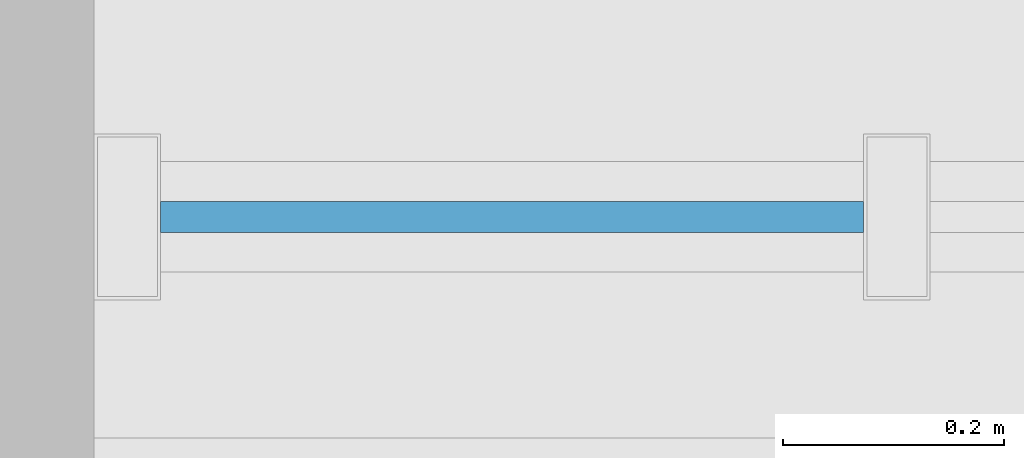
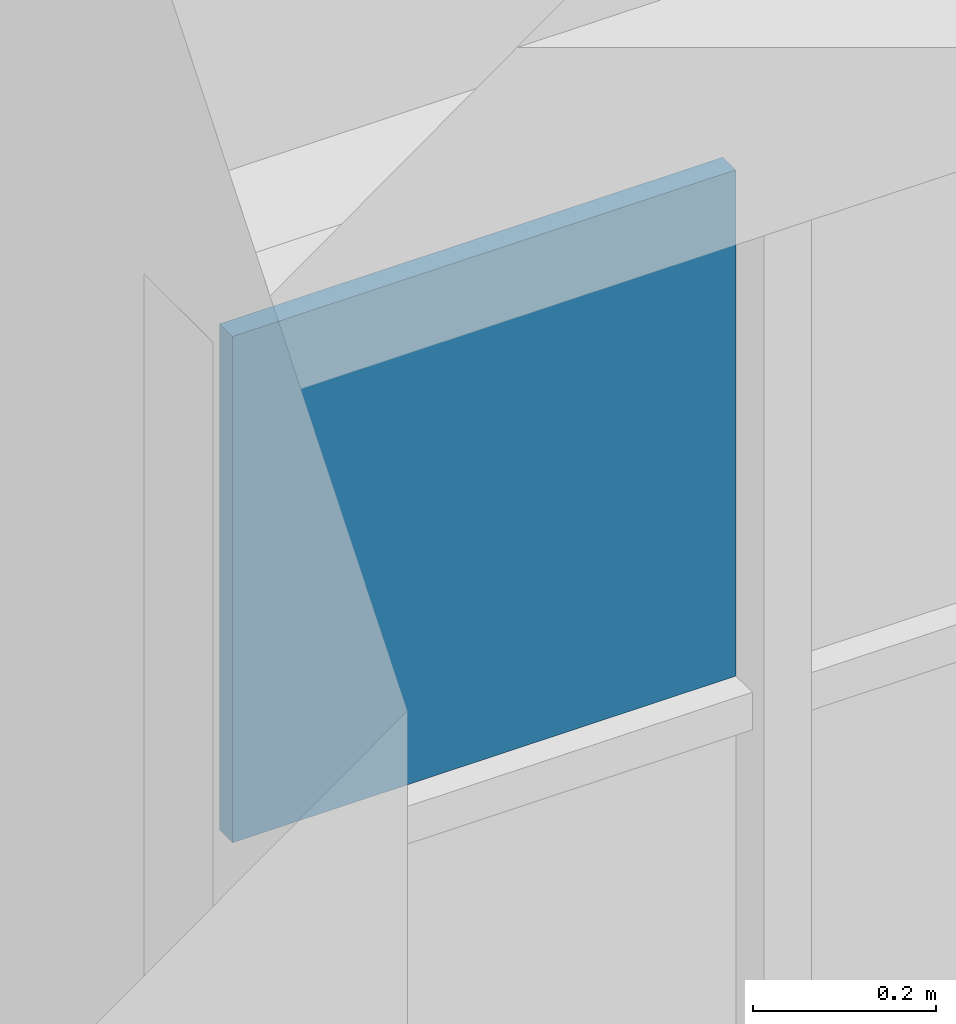
# One storey, part 58 of 103: 1 plate, 1 element without a shape of its own.
"""IFC4 building model written with IfcOpenShell, lengths in metres."""

from ifc_helpers import new_model, si_unit, direction, frame, origin, origin_2d, place, context, subcontext, project, spatial, rectangle, extrude, material, layer, layer_set, type_object, element, aggregate, save


model = new_model("IFC4")

# Units and contexts
model_context = context("Model", 3, precision=1e-05, world=origin(), true_north=direction((0.0, 1.0)))
body_context = subcontext(model_context, "Body", "Model", "MODEL_VIEW")
ifc_project = project(units=[si_unit("LENGTHUNIT", "METRE"), si_unit("AREAUNIT", "SQUARE_METRE"), si_unit("VOLUMEUNIT", "CUBIC_METRE"), si_unit("PLANEANGLEUNIT", "RADIAN"), si_unit("MASSUNIT", "GRAM", prefix="KILO")], contexts=[model_context])

# Site, building, storey
site_placement = place(None, origin())
site = spatial("IfcSite", under=ifc_project, at=site_placement, CompositionType="ELEMENT")
building_placement = place(site_placement, origin())
building = spatial("IfcBuilding", under=site, at=building_placement, Name="Laocheng Heights Fire and Rescue Headquarters", CompositionType="ELEMENT")
storey_placement = place(building_placement, frame((0.0, 0.0, 4.199951171875)))
storey = spatial("IfcBuildingStorey", under=building, at=storey_placement, Name="L01", CompositionType="ELEMENT", Elevation=4.199951171875)

# Curtain wall, plate
ifc_material_1 = material(Name="Dark anodised aluminium unitised curtain wall, low-e double glazing", Category="aluminium")
curtain_wall_type = type_object("IfcCurtainWallType", Name="CW 1450 x 3150 HQ SOUTH RIBBON", PredefinedType="NOTDEFINED", material=ifc_material_1)
curtain_wall_placement = place(storey_placement, origin())
curtain_wall = element("IfcCurtainWall", 1, at=curtain_wall_placement, inside=storey, type_object=curtain_wall_type, Name="X5-X HQ SOUTH L01", PredefinedType="NOTDEFINED")
ifc_material_2 = material(Name="Low-e double glazed unit, laminated inner pane")
ifc_layer = layer(ifc_material_2, 0.028076171875)
ifc_layer_set = layer_set([ifc_layer], Name="Low-e double glazed unit, laminated inner pane")
plate_type = type_object("IfcPlateType", Name="CW VISION PANEL 28 X", PredefinedType="CURTAIN_PANEL", material=ifc_layer_set)
plate_placement = place(storey_placement, frame((60.87744140625, 50.39990234375, 2.4248046875), z_axis=(0.0, 0.0, 1.0), x_axis=(1.0, 0.0, 0.0)))
plate = element("IfcPlate", 2, at=plate_placement, type_object=plate_type, Name="X5-X panel 1.3", PredefinedType="CURTAIN_PANEL", context=body_context, shape_type="SweptSolid", body=[
    extrude(rectangle(XDim=0.635009765625, YDim=0.028076171875, at=origin_2d()), origin(), (0.0, 0.0, 1.0), 0.675048828125),
])
aggregate(curtain_wall, [plate])

save(model, "model.ifc")
